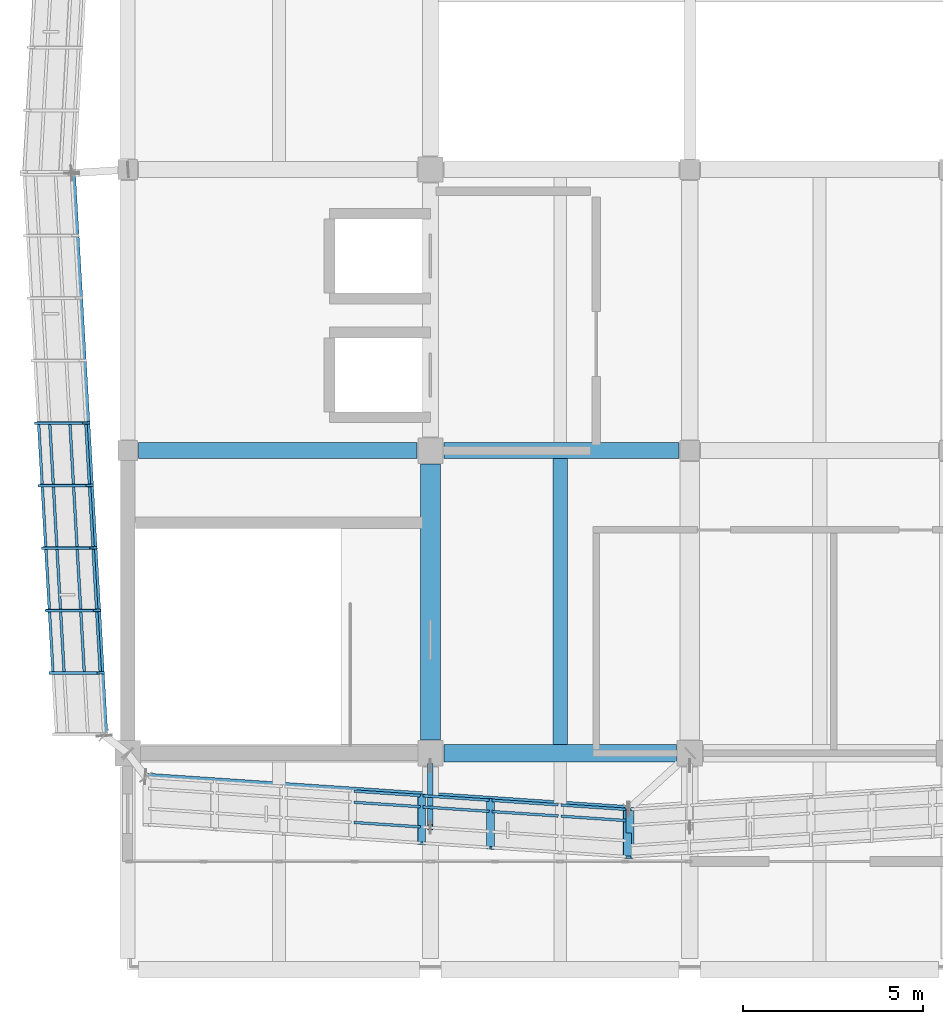
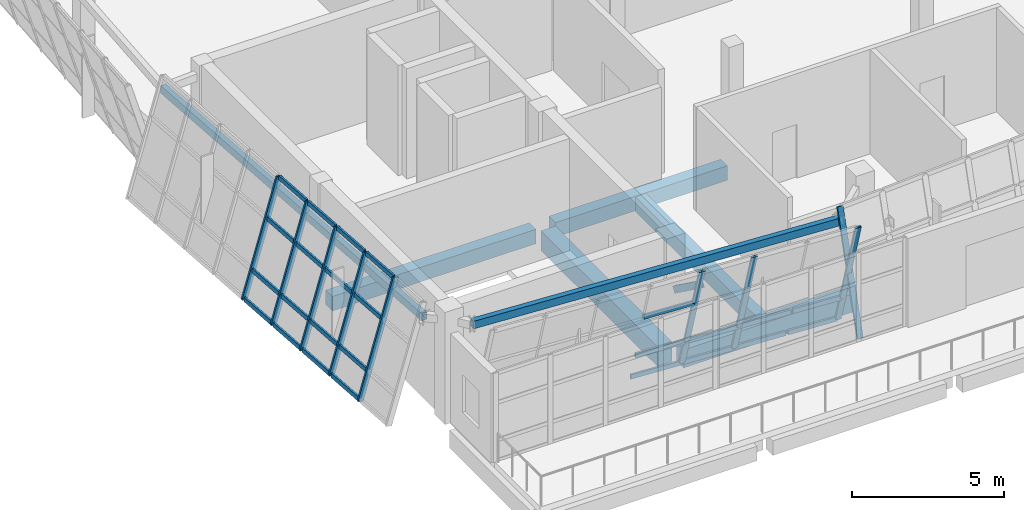
# One storey, part 4 of 67: 35 members, 7 beams, 3 elements without a shape of their own.
"""IFC4 building model written with IfcOpenShell, lengths in metres."""

from ifc_helpers import new_model, si_unit, direction, frame, origin, origin_2d, place, context, subcontext, project, spatial, rectangle, hollow_rectangle, extrude, material, material_profile, profile_set, type_object, element, aggregate, save


model = new_model("IFC4")

# Units and contexts
model_context = context("Model", 3, precision=1e-05, world=origin(), true_north=direction((0.0, 1.0)))
body_context = subcontext(model_context, "Body", "Model", "MODEL_VIEW")
ifc_project = project(units=[si_unit("LENGTHUNIT", "METRE"), si_unit("AREAUNIT", "SQUARE_METRE"), si_unit("VOLUMEUNIT", "CUBIC_METRE"), si_unit("PLANEANGLEUNIT", "RADIAN"), si_unit("MASSUNIT", "GRAM", prefix="KILO")], contexts=[model_context])

# Site, building, storey
site_placement = place(None, origin())
site = spatial("IfcSite", under=ifc_project, at=site_placement, CompositionType="ELEMENT")
building_placement = place(site_placement, origin())
building = spatial("IfcBuilding", under=site, at=building_placement, Name="Pellamere Symphony Hall", CompositionType="ELEMENT")
storey_placement = place(building_placement, frame((0.0, 0.0, 19.5)))
storey = spatial("IfcBuildingStorey", under=building, at=storey_placement, Name="L04", CompositionType="ELEMENT", Elevation=19.5)

# Curtain wall, members
ifc_material_1 = material(Name="Thermally Broken Anodised Aluminium 6063-T6 Curtain Wall", Category="aluminium")
curtain_wall_type = type_object("IfcCurtainWallType", Name="Curtain Wall CW-01 (Tilted Faceted Crystal Low-Iron Curtain Wall)", PredefinedType="NOTDEFINED", material=ifc_material_1)
curtain_wall_1_placement = place(storey_placement, origin())
curtain_wall_1 = element("IfcCurtainWall", 1, at=curtain_wall_1_placement, inside=storey, type_object=curtain_wall_type, Name="Crystal Faceted Curtain Wall CW-CR01 (L04)", PredefinedType="NOTDEFINED")
ifc_material_2 = material(Name="Anodised Architectural Aluminium 6063-T6", Category="aluminium")
ifc_material_profile_1 = material_profile(ifc_material_2, hollow_rectangle(XDim=0.074951171875, YDim=0.219970703125, WallThickness=0.0048828125, at=origin_2d()), Name="ALU-M75X220X5")
ifc_profile_set_1 = profile_set([ifc_material_profile_1], Name="Anodised Architectural Aluminium 6063-T6")
member_type_1 = type_object("IfcMemberType", Name="Curtain Wall Mullion ML-01 ALU-M75X220X5", PredefinedType="MULLION", material=ifc_profile_set_1)
member_1_placement = place(storey_placement, frame((58.55712890625, 28.835693359375, 0.0), z_axis=(0.0, -0.284024567884, 0.95881700279), x_axis=(0.067013200006, 0.956661667464, 0.283386105922)))
member_1 = element("IfcMember", 2, at=member_1_placement, type_object=member_type_1, Name="CW1-001 crystal mullion 5", PredefinedType="MULLION", context=body_context, shape_type="SweptSolid", body=[
    extrude(hollow_rectangle(XDim=0.074951171875, YDim=0.219970703125, WallThickness=0.0048828125, at=origin_2d()), origin(), (0.0, 0.0, 1.0), 4.693359375),
])
member_2_placement = place(storey_placement, frame((60.471435546875, 28.70703125, 0.0), z_axis=(0.0, -0.284024567884, 0.95881700279), x_axis=(0.067013200006, 0.956661667464, 0.283386105922)))
member_2 = element("IfcMember", 3, at=member_2_placement, type_object=member_type_1, Name="CW1-001 crystal mullion 6", PredefinedType="MULLION", context=body_context, shape_type="SweptSolid", body=[
    extrude(hollow_rectangle(XDim=0.074951171875, YDim=0.219970703125, WallThickness=0.0048828125, at=origin_2d()), origin(), (0.0, 0.0, 1.0), 4.693359375),
])
member_3_placement = place(storey_placement, frame((64.2626953125, 28.452392578125, 0.0), z_axis=(0.0, -0.283976744055, 0.958831168056), x_axis=(0.067013200006, 0.956675800888, 0.283338389597)))
member_3 = element("IfcMember", 4, at=member_3_placement, type_object=member_type_1, Name="CW1-001 crystal mullion 8", PredefinedType="MULLION", context=body_context, shape_type="SweptSolid", body=[
    extrude(hollow_rectangle(XDim=0.074951171875, YDim=0.219970703125, WallThickness=0.0048828125, at=origin_2d()), origin(), (0.0, 0.0, 1.0), 4.693115234375),
])

# Curtain wall, member
curtain_wall_2_placement = place(storey_placement, origin())
curtain_wall_2 = element("IfcCurtainWall", 5, at=curtain_wall_2_placement, inside=storey, type_object=curtain_wall_type, Name="Crystal Faceted Curtain Wall CW-CR02 (L04)", PredefinedType="NOTDEFINED")
member_4_placement = place(storey_placement, frame((64.33740234375, 27.119384765625, 0.0), z_axis=(0.0, 0.284024567884, 0.95881700279), x_axis=(0.066519010519, -0.956693374484, 0.283395498301)))
member_4 = element("IfcMember", 6, at=member_4_placement, type_object=member_type_1, Name="CW1-002 crystal mullion 1", PredefinedType="MULLION", context=body_context, shape_type="SweptSolid", body=[
    extrude(hollow_rectangle(XDim=0.074951171875, YDim=0.219970703125, WallThickness=0.0048828125, at=origin_2d()), origin(), (0.0, 0.0, 1.0), 4.693359375),
])
aggregate(curtain_wall_2, [member_4])

# Curtain wall, members
curtain_wall_3_placement = place(storey_placement, origin())
curtain_wall_3 = element("IfcCurtainWall", 7, at=curtain_wall_3_placement, inside=storey, type_object=curtain_wall_type, Name="Crystal Faceted Curtain Wall CW-CR18 (L04)", PredefinedType="NOTDEFINED")
member_5_placement = place(storey_placement, frame((47.9169921875, 39.166748046875, 0.0), z_axis=(0.284024567884, 0.0, 0.95881700279), x_axis=(-0.055224537145, 0.998339941676, 0.01635883099)))
member_5 = element("IfcMember", 8, at=member_5_placement, type_object=member_type_1, Name="CW1-056 crystal mullion 5", PredefinedType="MULLION", context=body_context, shape_type="SweptSolid", body=[
    extrude(hollow_rectangle(XDim=0.074951171875, YDim=0.219970703125, WallThickness=0.0048828125, at=origin_2d()), origin(), (0.0, 0.0, 1.0), 4.693359375),
])
member_6_placement = place(storey_placement, frame((48.01708984375, 37.433349609375, 0.0), z_axis=(0.284024567884, 0.0, 0.95881700279), x_axis=(-0.055224537145, 0.998339941676, 0.01635883099)))
member_6 = element("IfcMember", 9, at=member_6_placement, type_object=member_type_1, Name="CW1-056 crystal mullion 6", PredefinedType="MULLION", context=body_context, shape_type="SweptSolid", body=[
    extrude(hollow_rectangle(XDim=0.074951171875, YDim=0.219970703125, WallThickness=0.0048828125, at=origin_2d()), origin(), (0.0, 0.0, 1.0), 4.693359375),
])
member_7_placement = place(storey_placement, frame((48.116943359375, 35.699951171875, 0.0), z_axis=(0.284024567884, 0.0, 0.95881700279), x_axis=(-0.055224537145, 0.998339941676, 0.01635883099)))
member_7 = element("IfcMember", 10, at=member_7_placement, type_object=member_type_1, Name="CW1-056 crystal mullion 7", PredefinedType="MULLION", context=body_context, shape_type="SweptSolid", body=[
    extrude(hollow_rectangle(XDim=0.074951171875, YDim=0.219970703125, WallThickness=0.0048828125, at=origin_2d()), origin(), (0.0, 0.0, 1.0), 4.693359375),
])
member_8_placement = place(storey_placement, frame((48.217041015625, 33.966552734375, 0.0), z_axis=(0.284024567884, 0.0, 0.95881700279), x_axis=(-0.055224537145, 0.998339941676, 0.01635883099)))
member_8 = element("IfcMember", 11, at=member_8_placement, type_object=member_type_1, Name="CW1-056 crystal mullion 8", PredefinedType="MULLION", context=body_context, shape_type="SweptSolid", body=[
    extrude(hollow_rectangle(XDim=0.074951171875, YDim=0.219970703125, WallThickness=0.0048828125, at=origin_2d()), origin(), (0.0, 0.0, 1.0), 4.693359375),
])
member_9_placement = place(storey_placement, frame((48.31689453125, 32.2333984375, 0.0), z_axis=(0.284024567884, 0.0, 0.95881700279), x_axis=(-0.055224537145, 0.998339941676, 0.01635883099)))
member_9 = element("IfcMember", 12, at=member_9_placement, type_object=member_type_1, Name="CW1-056 crystal mullion 9", PredefinedType="MULLION", context=body_context, shape_type="SweptSolid", body=[
    extrude(hollow_rectangle(XDim=0.074951171875, YDim=0.219970703125, WallThickness=0.0048828125, at=origin_2d()), origin(), (0.0, 0.0, 1.0), 4.693359375),
])

# Member
ifc_material_profile_2 = material_profile(ifc_material_2, hollow_rectangle(XDim=0.074951171875, YDim=0.179931640625, WallThickness=0.0048828125, at=origin_2d()), Name="ALU-T75X180X5")
ifc_profile_set_2 = profile_set([ifc_material_profile_2], Name="Anodised Architectural Aluminium 6063-T6")
member_type_2 = type_object("IfcMemberType", Name="Curtain Wall Transom TR-01 ALU-T75X180X5", PredefinedType="USERDEFINED", material=ifc_profile_set_2)
member_10_placement = place(storey_placement, frame((56.68017578125, 28.951171875, 0.035888671875), z_axis=(0.997752815695, -0.067002378864, 0.0), x_axis=(0.067002378864, 0.997752815695, 0.0)))
member_10 = element("IfcMember", 13, at=member_10_placement, type_object=member_type_2, Name="CW1-001 crystal transom 4.1", ObjectType="TRANSOM", PredefinedType="USERDEFINED", context=body_context, shape_type="SweptSolid", body=[
    extrude(hollow_rectangle(XDim=0.074951171875, YDim=0.179931640625, WallThickness=0.0048828125, at=origin_2d()), origin(), (0.0, 0.0, 1.0), 1.84375),
])

member_11_placement = place(storey_placement, frame((56.68017578125, 28.641845703125, 1.080078125), z_axis=(0.997752815695, -0.067002378864, 0.0), x_axis=(0.067002378864, 0.997752815695, 0.0)))
member_11 = element("IfcMember", 14, at=member_11_placement, type_object=member_type_2, Name="CW1-001 crystal transom 4.2", ObjectType="TRANSOM", PredefinedType="USERDEFINED", context=body_context, shape_type="SweptSolid", body=[
    extrude(hollow_rectangle(XDim=0.074951171875, YDim=0.179931640625, WallThickness=0.0048828125, at=origin_2d()), origin(), (0.0, 0.0, 1.0), 1.84375),
])

member_12_placement = place(storey_placement, frame((56.68017578125, 28.08203125, 2.969970703125), z_axis=(0.997752815695, -0.067002378864, 0.0), x_axis=(0.067002378864, 0.997752815695, 0.0)))
member_12 = element("IfcMember", 15, at=member_12_placement, type_object=member_type_2, Name="CW1-001 crystal transom 4.3", ObjectType="TRANSOM", PredefinedType="USERDEFINED", context=body_context, shape_type="SweptSolid", body=[
    extrude(hollow_rectangle(XDim=0.074951171875, YDim=0.179931640625, WallThickness=0.0048828125, at=origin_2d()), origin(), (0.0, 0.0, 1.0), 1.84375),
])

member_13_placement = place(storey_placement, frame((58.594482421875, 28.822509765625, 0.035888671875), z_axis=(0.997752815695, -0.067002378864, 0.0), x_axis=(0.067002378864, 0.997752815695, 0.0)))
member_13 = element("IfcMember", 16, at=member_13_placement, type_object=member_type_2, Name="CW1-001 crystal transom 5.1", ObjectType="TRANSOM", PredefinedType="USERDEFINED", context=body_context, shape_type="SweptSolid", body=[
    extrude(hollow_rectangle(XDim=0.074951171875, YDim=0.179931640625, WallThickness=0.0048828125, at=origin_2d()), origin(), (0.0, 0.0, 1.0), 1.84375),
])

member_14_placement = place(storey_placement, frame((58.594482421875, 28.51318359375, 1.080078125), z_axis=(0.997752815695, -0.067002378864, 0.0), x_axis=(0.067002378864, 0.997752815695, 0.0)))
member_14 = element("IfcMember", 17, at=member_14_placement, type_object=member_type_2, Name="CW1-001 crystal transom 5.2", ObjectType="TRANSOM", PredefinedType="USERDEFINED", context=body_context, shape_type="SweptSolid", body=[
    extrude(hollow_rectangle(XDim=0.074951171875, YDim=0.179931640625, WallThickness=0.0048828125, at=origin_2d()), origin(), (0.0, 0.0, 1.0), 1.84375),
])

member_15_placement = place(storey_placement, frame((60.5087890625, 28.694091796875, 0.035888671875), z_axis=(0.997743954831, -0.067134198421, 0.0), x_axis=(0.067134198421, 0.997743954831, 0.0)))
member_15 = element("IfcMember", 18, at=member_15_placement, type_object=member_type_2, Name="CW1-001 crystal transom 6.1", ObjectType="TRANSOM", PredefinedType="USERDEFINED", context=body_context, shape_type="SweptSolid", body=[
    extrude(hollow_rectangle(XDim=0.074951171875, YDim=0.179931640625, WallThickness=0.0048828125, at=origin_2d()), origin(), (0.0, 0.0, 1.0), 1.84375),
])

member_16_placement = place(storey_placement, frame((60.5087890625, 28.384765625, 1.080078125), z_axis=(0.997752815695, -0.067002378864, 0.0), x_axis=(0.067002378864, 0.997752815695, 0.0)))
member_16 = element("IfcMember", 19, at=member_16_placement, type_object=member_type_2, Name="CW1-001 crystal transom 6.2", ObjectType="TRANSOM", PredefinedType="USERDEFINED", context=body_context, shape_type="SweptSolid", body=[
    extrude(hollow_rectangle(XDim=0.074951171875, YDim=0.179931640625, WallThickness=0.0048828125, at=origin_2d()), origin(), (0.0, 0.0, 1.0), 1.84375),
])

member_17_placement = place(storey_placement, frame((62.423095703125, 28.5654296875, 0.035888671875), z_axis=(0.997749727577, -0.067048349123, 0.0), x_axis=(0.067048349123, 0.997749727577, 0.0)))
member_17 = element("IfcMember", 20, at=member_17_placement, type_object=member_type_2, Name="CW1-001 crystal transom 7.1", ObjectType="TRANSOM", PredefinedType="USERDEFINED", context=body_context, shape_type="SweptSolid", body=[
    extrude(hollow_rectangle(XDim=0.074951171875, YDim=0.179931640625, WallThickness=0.0048828125, at=origin_2d()), origin(), (0.0, 0.0, 1.0), 1.80615234375),
])

member_18_placement = place(storey_placement, frame((62.423095703125, 28.256103515625, 1.080078125), z_axis=(0.997749727577, -0.067048349123, 0.0), x_axis=(0.067048349123, 0.997749727577, 0.0)))
member_18 = element("IfcMember", 21, at=member_18_placement, type_object=member_type_2, Name="CW1-001 crystal transom 7.2", ObjectType="TRANSOM", PredefinedType="USERDEFINED", context=body_context, shape_type="SweptSolid", body=[
    extrude(hollow_rectangle(XDim=0.074951171875, YDim=0.179931640625, WallThickness=0.0048828125, at=origin_2d()), origin(), (0.0, 0.0, 1.0), 1.80615234375),
])

aggregate(curtain_wall_1, [member_1, member_2, member_3, member_10, member_11, member_12, member_13, member_14, member_15, member_16, member_17, member_18])

member_19_placement = place(storey_placement, frame((47.929931640625, 39.129150390625, 0.035888671875), z_axis=(0.057464139598, -0.998347571069, 0.0), x_axis=(0.998347571069, 0.057464139598, 0.0)))
member_19 = element("IfcMember", 22, at=member_19_placement, type_object=member_type_2, Name="CW1-056 crystal transom 5.1", ObjectType="TRANSOM", PredefinedType="USERDEFINED", context=body_context, shape_type="SweptSolid", body=[
    extrude(hollow_rectangle(XDim=0.074951171875, YDim=0.179931640625, WallThickness=0.0048828125, at=origin_2d()), origin(), (0.0, 0.0, 1.0), 1.6611328125),
])

member_20_placement = place(storey_placement, frame((48.239013671875, 39.129150390625, 1.080078125), z_axis=(0.057610619545, -0.998339129012, 0.0), x_axis=(0.998339129012, 0.057610619545, 0.0)))
member_20 = element("IfcMember", 23, at=member_20_placement, type_object=member_type_2, Name="CW1-056 crystal transom 5.2", ObjectType="TRANSOM", PredefinedType="USERDEFINED", context=body_context, shape_type="SweptSolid", body=[
    extrude(hollow_rectangle(XDim=0.074951171875, YDim=0.179931640625, WallThickness=0.0048828125, at=origin_2d()), origin(), (0.0, 0.0, 1.0), 1.6611328125),
])

member_21_placement = place(storey_placement, frame((48.798828125, 39.129150390625, 2.969970703125), z_axis=(0.057610619545, -0.998339129012, 0.0), x_axis=(0.998339129012, 0.057610619545, 0.0)))
member_21 = element("IfcMember", 24, at=member_21_placement, type_object=member_type_2, Name="CW1-056 crystal transom 5.3", ObjectType="TRANSOM", PredefinedType="USERDEFINED", context=body_context, shape_type="SweptSolid", body=[
    extrude(hollow_rectangle(XDim=0.074951171875, YDim=0.179931640625, WallThickness=0.0048828125, at=origin_2d()), origin(), (0.0, 0.0, 1.0), 1.6611328125),
])

member_22_placement = place(storey_placement, frame((49.241455078125, 39.129150390625, 4.464111328125), z_axis=(0.057610619545, -0.998339129012, 0.0), x_axis=(0.998339129012, 0.057610619545, 0.0)))
member_22 = element("IfcMember", 25, at=member_22_placement, type_object=member_type_2, Name="CW1-056 crystal transom 5.4", ObjectType="TRANSOM", PredefinedType="USERDEFINED", context=body_context, shape_type="SweptSolid", body=[
    extrude(hollow_rectangle(XDim=0.074951171875, YDim=0.179931640625, WallThickness=0.0048828125, at=origin_2d()), origin(), (0.0, 0.0, 1.0), 1.6611328125),
])

member_23_placement = place(storey_placement, frame((48.02978515625, 37.39599609375, 0.035888671875), z_axis=(0.057610619545, -0.998339129012, 0.0), x_axis=(0.998339129012, 0.057610619545, 0.0)))
member_23 = element("IfcMember", 26, at=member_23_placement, type_object=member_type_2, Name="CW1-056 crystal transom 6.1", ObjectType="TRANSOM", PredefinedType="USERDEFINED", context=body_context, shape_type="SweptSolid", body=[
    extrude(hollow_rectangle(XDim=0.074951171875, YDim=0.179931640625, WallThickness=0.0048828125, at=origin_2d()), origin(), (0.0, 0.0, 1.0), 1.6611328125),
])

member_24_placement = place(storey_placement, frame((48.339111328125, 37.39599609375, 1.080078125), z_axis=(0.057610619545, -0.998339129012, 0.0), x_axis=(0.998339129012, 0.057610619545, 0.0)))
member_24 = element("IfcMember", 27, at=member_24_placement, type_object=member_type_2, Name="CW1-056 crystal transom 6.2", ObjectType="TRANSOM", PredefinedType="USERDEFINED", context=body_context, shape_type="SweptSolid", body=[
    extrude(hollow_rectangle(XDim=0.074951171875, YDim=0.179931640625, WallThickness=0.0048828125, at=origin_2d()), origin(), (0.0, 0.0, 1.0), 1.6611328125),
])

member_25_placement = place(storey_placement, frame((48.89892578125, 37.39599609375, 2.969970703125), z_axis=(0.057610619545, -0.998339129012, 0.0), x_axis=(0.998339129012, 0.057610619545, 0.0)))
member_25 = element("IfcMember", 28, at=member_25_placement, type_object=member_type_2, Name="CW1-056 crystal transom 6.3", ObjectType="TRANSOM", PredefinedType="USERDEFINED", context=body_context, shape_type="SweptSolid", body=[
    extrude(hollow_rectangle(XDim=0.074951171875, YDim=0.179931640625, WallThickness=0.0048828125, at=origin_2d()), origin(), (0.0, 0.0, 1.0), 1.6611328125),
])

member_26_placement = place(storey_placement, frame((49.341552734375, 37.39599609375, 4.464111328125), z_axis=(0.057610619545, -0.998339129012, 0.0), x_axis=(0.998339129012, 0.057610619545, 0.0)))
member_26 = element("IfcMember", 29, at=member_26_placement, type_object=member_type_2, Name="CW1-056 crystal transom 6.4", ObjectType="TRANSOM", PredefinedType="USERDEFINED", context=body_context, shape_type="SweptSolid", body=[
    extrude(hollow_rectangle(XDim=0.074951171875, YDim=0.179931640625, WallThickness=0.0048828125, at=origin_2d()), origin(), (0.0, 0.0, 1.0), 1.6611328125),
])

member_27_placement = place(storey_placement, frame((48.1298828125, 35.66259765625, 0.035888671875), z_axis=(0.057610619545, -0.998339129012, 0.0), x_axis=(0.998339129012, 0.057610619545, 0.0)))
member_27 = element("IfcMember", 30, at=member_27_placement, type_object=member_type_2, Name="CW1-056 crystal transom 7.1", ObjectType="TRANSOM", PredefinedType="USERDEFINED", context=body_context, shape_type="SweptSolid", body=[
    extrude(hollow_rectangle(XDim=0.074951171875, YDim=0.179931640625, WallThickness=0.0048828125, at=origin_2d()), origin(), (0.0, 0.0, 1.0), 1.6611328125),
])

member_28_placement = place(storey_placement, frame((48.43896484375, 35.66259765625, 1.080078125), z_axis=(0.057610619545, -0.998339129012, 0.0), x_axis=(0.998339129012, 0.057610619545, 0.0)))
member_28 = element("IfcMember", 31, at=member_28_placement, type_object=member_type_2, Name="CW1-056 crystal transom 7.2", ObjectType="TRANSOM", PredefinedType="USERDEFINED", context=body_context, shape_type="SweptSolid", body=[
    extrude(hollow_rectangle(XDim=0.074951171875, YDim=0.179931640625, WallThickness=0.0048828125, at=origin_2d()), origin(), (0.0, 0.0, 1.0), 1.6611328125),
])

member_29_placement = place(storey_placement, frame((48.9990234375, 35.66259765625, 2.969970703125), z_axis=(0.057610619545, -0.998339129012, 0.0), x_axis=(0.998339129012, 0.057610619545, 0.0)))
member_29 = element("IfcMember", 32, at=member_29_placement, type_object=member_type_2, Name="CW1-056 crystal transom 7.3", ObjectType="TRANSOM", PredefinedType="USERDEFINED", context=body_context, shape_type="SweptSolid", body=[
    extrude(hollow_rectangle(XDim=0.074951171875, YDim=0.179931640625, WallThickness=0.0048828125, at=origin_2d()), origin(), (0.0, 0.0, 1.0), 1.6611328125),
])

member_30_placement = place(storey_placement, frame((49.44140625, 35.66259765625, 4.464111328125), z_axis=(0.057610619545, -0.998339129012, 0.0), x_axis=(0.998339129012, 0.057610619545, 0.0)))
member_30 = element("IfcMember", 33, at=member_30_placement, type_object=member_type_2, Name="CW1-056 crystal transom 7.4", ObjectType="TRANSOM", PredefinedType="USERDEFINED", context=body_context, shape_type="SweptSolid", body=[
    extrude(hollow_rectangle(XDim=0.074951171875, YDim=0.179931640625, WallThickness=0.0048828125, at=origin_2d()), origin(), (0.0, 0.0, 1.0), 1.6611328125),
])

member_31_placement = place(storey_placement, frame((48.229736328125, 33.92919921875, 0.035888671875), z_axis=(0.057610619545, -0.998339129012, 0.0), x_axis=(0.998339129012, 0.057610619545, 0.0)))
member_31 = element("IfcMember", 34, at=member_31_placement, type_object=member_type_2, Name="CW1-056 crystal transom 8.1", ObjectType="TRANSOM", PredefinedType="USERDEFINED", context=body_context, shape_type="SweptSolid", body=[
    extrude(hollow_rectangle(XDim=0.074951171875, YDim=0.179931640625, WallThickness=0.0048828125, at=origin_2d()), origin(), (0.0, 0.0, 1.0), 1.6611328125),
])

member_32_placement = place(storey_placement, frame((48.5390625, 33.92919921875, 1.080078125), z_axis=(0.057610619545, -0.998339129012, 0.0), x_axis=(0.998339129012, 0.057610619545, 0.0)))
member_32 = element("IfcMember", 35, at=member_32_placement, type_object=member_type_2, Name="CW1-056 crystal transom 8.2", ObjectType="TRANSOM", PredefinedType="USERDEFINED", context=body_context, shape_type="SweptSolid", body=[
    extrude(hollow_rectangle(XDim=0.074951171875, YDim=0.179931640625, WallThickness=0.0048828125, at=origin_2d()), origin(), (0.0, 0.0, 1.0), 1.6611328125),
])

member_33_placement = place(storey_placement, frame((49.098876953125, 33.92919921875, 2.969970703125), z_axis=(0.057610619545, -0.998339129012, 0.0), x_axis=(0.998339129012, 0.057610619545, 0.0)))
member_33 = element("IfcMember", 36, at=member_33_placement, type_object=member_type_2, Name="CW1-056 crystal transom 8.3", ObjectType="TRANSOM", PredefinedType="USERDEFINED", context=body_context, shape_type="SweptSolid", body=[
    extrude(hollow_rectangle(XDim=0.074951171875, YDim=0.179931640625, WallThickness=0.0048828125, at=origin_2d()), origin(), (0.0, 0.0, 1.0), 1.6611328125),
])

member_34_placement = place(storey_placement, frame((49.54150390625, 33.92919921875, 4.464111328125), z_axis=(0.057610619545, -0.998339129012, 0.0), x_axis=(0.998339129012, 0.057610619545, 0.0)))
member_34 = element("IfcMember", 37, at=member_34_placement, type_object=member_type_2, Name="CW1-056 crystal transom 8.4", ObjectType="TRANSOM", PredefinedType="USERDEFINED", context=body_context, shape_type="SweptSolid", body=[
    extrude(hollow_rectangle(XDim=0.074951171875, YDim=0.179931640625, WallThickness=0.0048828125, at=origin_2d()), origin(), (0.0, 0.0, 1.0), 1.6611328125),
])

aggregate(curtain_wall_3, [member_5, member_6, member_7, member_8, member_9, member_19, member_20, member_21, member_22, member_23, member_24, member_25, member_26, member_27, member_28, member_29, member_30, member_31, member_32, member_33, member_34])

# Beams
ifc_material_3 = material(Name="Concrete 40 MPa", Category="concrete")
ifc_material_profile_3 = material_profile(ifc_material_3, rectangle(XDim=0.550048828125, YDim=0.800048828125, at=origin_2d()), Name="RC 550x800")
ifc_profile_set_3 = profile_set([ifc_material_profile_3], Name="Concrete 40 MPa")
beam_type_1 = type_object("IfcBeamType", Name="RC CB-05 550x800", PredefinedType="BEAM", material=ifc_profile_set_3)
beam_1_placement = place(storey_placement, frame((58.800048828125, 30.375, -0.659912109375), z_axis=(0.0, 1.0, 0.0), x_axis=(-1.0, 0.0, 0.0)))
element("IfcBeam", 38, at=beam_1_placement, inside=storey, type_object=beam_type_1, Name="Girder CB-05-Y1878 (L04)", PredefinedType="BEAM", context=body_context, shape_type="SweptSolid", body=[
    extrude(rectangle(XDim=0.550048828125, YDim=0.800048828125, at=origin_2d()), origin(), (0.0, 0.0, 1.0), 7.64990234375),
])
ifc_material_profile_4 = material_profile(ifc_material_3, rectangle(XDim=0.39990234375, YDim=0.60009765625, at=origin_2d()), Name="RC 400x600")
ifc_profile_set_4 = profile_set([ifc_material_profile_4], Name="Concrete 40 MPa")
beam_type_2 = type_object("IfcBeamType", Name="RC CB-09 400x600", PredefinedType="BEAM", material=ifc_profile_set_4)
beam_2_placement = place(storey_placement, frame((62.39990234375, 30.239990234375, -0.574951171875), z_axis=(0.0, 1.0, 0.0), x_axis=(-1.0, 0.0, 0.0)))
element("IfcBeam", 39, at=beam_2_placement, inside=storey, type_object=beam_type_2, Name="Secondary Floor Beam CB-09-M0704 (L04)", PredefinedType="BEAM", context=body_context, shape_type="SweptSolid", body=[
    extrude(rectangle(XDim=0.39990234375, YDim=0.60009765625, at=origin_2d()), origin(), (0.0, 0.0, 1.0), 7.93994140625),
])
ifc_material_profile_5 = material_profile(ifc_material_3, rectangle(XDim=0.47998046875, YDim=0.719970703125, at=origin_2d()), Name="RC 480x720")
ifc_profile_set_5 = profile_set([ifc_material_profile_5], Name="Concrete 40 MPa")
beam_type_3 = type_object("IfcBeamType", Name="RC CB-14 480x720", PredefinedType="SPANDREL", material=ifc_profile_set_5)
beam_3_placement = place(storey_placement, frame((59.175048828125, 30.0, -0.6201171875), z_axis=(1.0, 0.0, 0.0), x_axis=(0.0, 1.0, 0.0)))
element("IfcBeam", 40, at=beam_3_placement, inside=storey, type_object=beam_type_3, Name="Girder CB-14-X1804 (L04)", PredefinedType="SPANDREL", context=body_context, shape_type="SweptSolid", body=[
    extrude(rectangle(XDim=0.47998046875, YDim=0.719970703125, at=origin_2d()), origin(), (0.0, 0.0, 1.0), 6.449951171875),
])
ifc_material_profile_6 = material_profile(ifc_material_3, rectangle(XDim=0.43994140625, YDim=0.580078125, at=origin_2d()), Name="RC 440x580")
ifc_profile_set_6 = profile_set([ifc_material_profile_6], Name="Concrete 40 MPa")
beam_type_4 = type_object("IfcBeamType", Name="RC CB-20 440x580", PredefinedType="BEAM", material=ifc_profile_set_6)
beam_4_placement = place(storey_placement, frame((50.699951171875, 38.39990234375, -0.550048828125), z_axis=(1.0, 0.0, 0.0), x_axis=(0.0, 1.0, 0.0)))
element("IfcBeam", 41, at=beam_4_placement, inside=storey, type_object=beam_type_4, Name="Girder CB-20-X1818 (L04)", PredefinedType="BEAM", context=body_context, shape_type="SweptSolid", body=[
    extrude(rectangle(XDim=0.43994140625, YDim=0.580078125, at=origin_2d()), origin(), (0.0, 0.0, 1.0), 7.72509765625),
])
beam_5_placement = place(storey_placement, frame((59.175048828125, 38.39990234375, -0.550048828125), z_axis=(1.0, 0.0, 0.0), x_axis=(0.0, 1.0, 0.0)))
element("IfcBeam", 42, at=beam_5_placement, inside=storey, type_object=beam_type_4, Name="Girder CB-20-X1819 (L04)", PredefinedType="BEAM", context=body_context, shape_type="SweptSolid", body=[
    extrude(rectangle(XDim=0.43994140625, YDim=0.580078125, at=origin_2d()), origin(), (0.0, 0.0, 1.0), 6.52490234375),
])

# Member
ifc_material_4 = material(Name="Steel CSA G40.21 350W", Category="steel")
ifc_material_profile_7 = material_profile(ifc_material_4, hollow_rectangle(XDim=0.15234375, YDim=0.25390625, WallThickness=0.010986328125, at=origin_2d()), Name="HSS254X152X11")
ifc_profile_set_7 = profile_set([ifc_material_profile_7], Name="Steel CSA G40.21 350W")
member_type_3 = type_object("IfcMemberType", Name="Steel Member SM-07 HSS254X152X11", PredefinedType="STRUT", material=ifc_profile_set_7)
member_35_placement = place(storey_placement, frame((58.800048828125, 29.64990234375, 2.3798828125), z_axis=(0.0, -0.810117421181, 0.586267655512), x_axis=(1.0, 0.0, 0.0)))
element("IfcMember", 43, at=member_35_placement, inside=storey, type_object=member_type_3, Name="Winter-Garden Canopy Knee Strut 01", PredefinedType="STRUT", context=body_context, shape_type="SweptSolid", body=[
    extrude(hollow_rectangle(XDim=0.15234375, YDim=0.25390625, WallThickness=0.010986328125, at=origin_2d()), origin(), (0.0, 0.0, 1.0), 2.098388671875),
])

# Beams
ifc_material_profile_8 = material_profile(ifc_material_4, hollow_rectangle(XDim=0.203125, YDim=0.3046875, WallThickness=0.0126953125, at=origin_2d()), Name="HSS305X203X13")
ifc_profile_set_8 = profile_set([ifc_material_profile_8], Name="Steel CSA G40.21 350W")
beam_type_5 = type_object("IfcBeamType", Name="Steel Spandrel SB-26 HSS305X203X13", PredefinedType="SPANDREL", material=ifc_profile_set_8)
beam_6_placement = place(storey_placement, frame((50.89990234375, 29.35009765625, 3.93994140625), z_axis=(0.997751408622, -0.067023328722, 0.0), x_axis=(0.067023328722, 0.997751408622, 0.0)))
element("IfcBeam", 44, at=beam_6_placement, inside=storey, type_object=beam_type_5, Name="Crystal Perimeter Ring Beam CW-CR01 (L04)", PredefinedType="SPANDREL", context=body_context, shape_type="SweptSolid", body=[
    extrude(hollow_rectangle(XDim=0.203125, YDim=0.3046875, WallThickness=0.0126953125, at=origin_2d()), origin(), (0.0, 0.0, 1.0), 13.430419921875),
])
beam_7_placement = place(storey_placement, frame((48.85009765625, 46.10009765625, 3.93994140625), z_axis=(0.057589946883, -0.998340321743, 0.0), x_axis=(0.998340321743, 0.057589946883, 0.0)))
element("IfcBeam", 45, at=beam_7_placement, inside=storey, type_object=beam_type_5, Name="Crystal Perimeter Ring Beam CW-CR18 (L04)", PredefinedType="SPANDREL", context=body_context, shape_type="SweptSolid", body=[
    extrude(hollow_rectangle(XDim=0.203125, YDim=0.3046875, WallThickness=0.0126953125, at=origin_2d()), origin(), (0.0, 0.0, 1.0), 15.6259765625),
])

save(model, "model.ifc")
